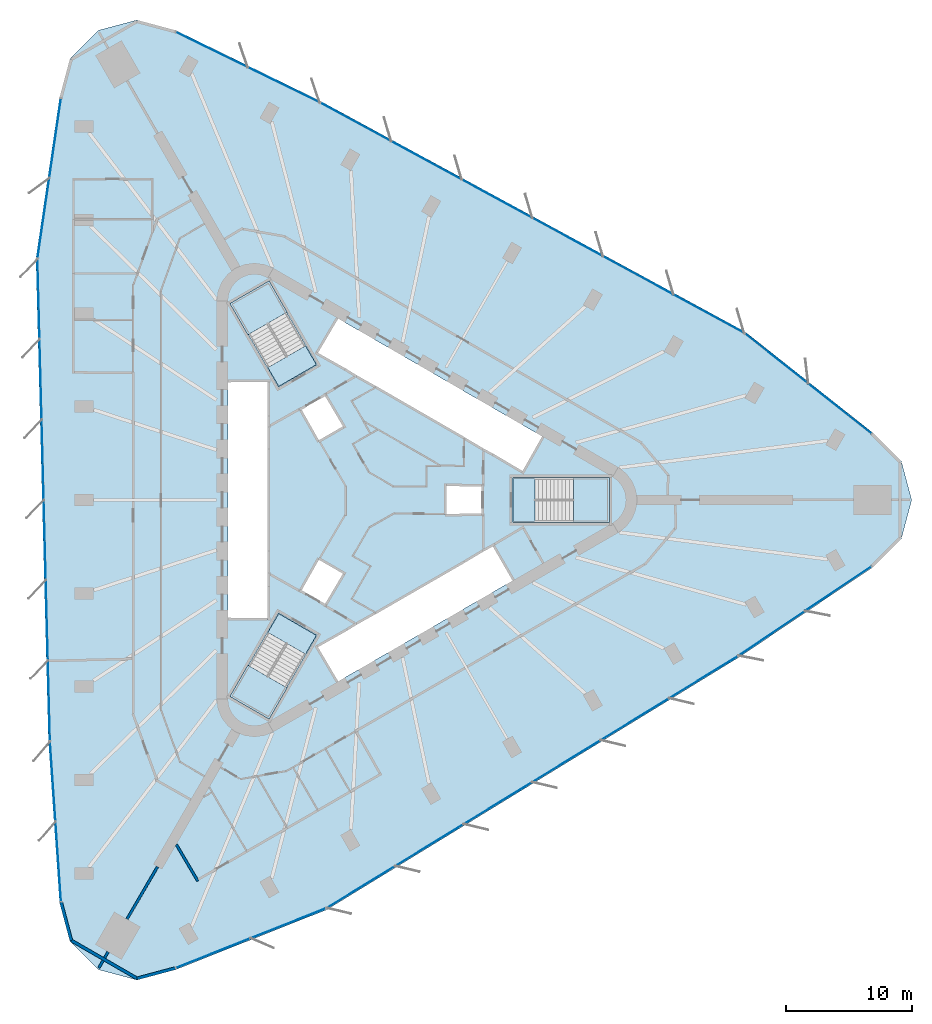
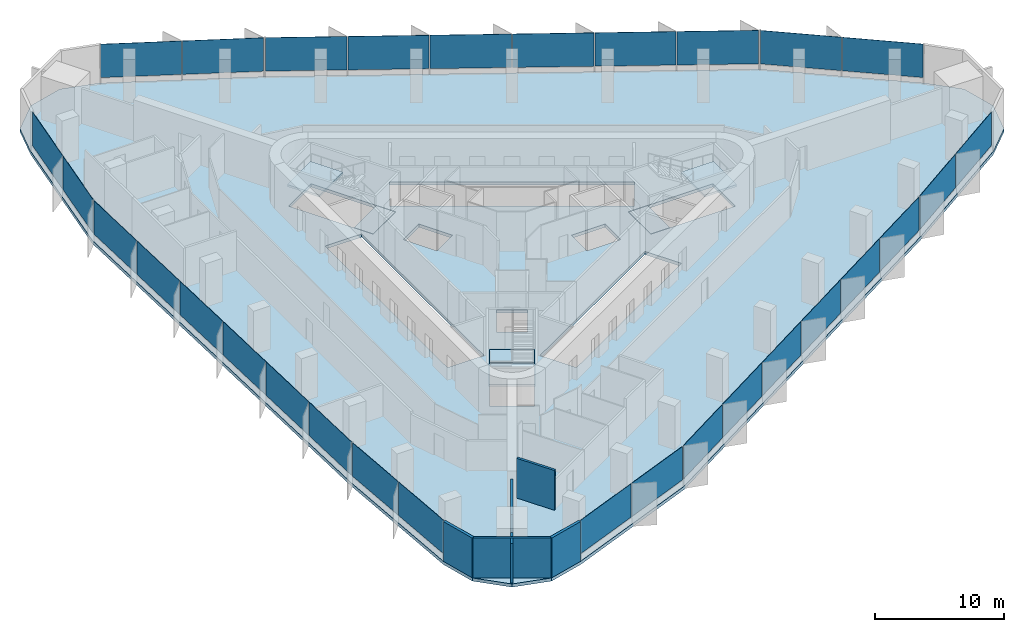
# One storey, part 7 of 14: 30 plates, 7 slabs, 7 walls, 12 elements without a shape of their own.
"""IFC4 building model written with IfcOpenShell, lengths in metres."""

from ifc_helpers import new_model, si_unit, direction, frame, frame_2d, origin, origin_2d, place, context, subcontext, project, spatial, polyline, rectangle, outline, extrude, material, layer, layer_set, type_object, element, aggregate, save


model = new_model("IFC4")

# Units and contexts
model_context = context("Model", 3, precision=1e-05, world=origin(), true_north=direction((0.0, 1.0)))
body_context = subcontext(model_context, "Body", "Model", "MODEL_VIEW")
ifc_project = project(units=[si_unit("LENGTHUNIT", "METRE"), si_unit("AREAUNIT", "SQUARE_METRE"), si_unit("VOLUMEUNIT", "CUBIC_METRE"), si_unit("PLANEANGLEUNIT", "RADIAN"), si_unit("MASSUNIT", "GRAM", prefix="KILO")], contexts=[model_context])

# Site, building, storey
site_placement = place(None, origin())
site = spatial("IfcSite", under=ifc_project, at=site_placement, CompositionType="ELEMENT")
building_placement = place(site_placement, origin())
building = spatial("IfcBuilding", under=site, at=building_placement, Name="Tanit Gate Tower", CompositionType="ELEMENT")
storey_placement = place(building_placement, frame((0.0, 0.0, 152.10009765625)))
storey = spatial("IfcBuildingStorey", under=building, at=storey_placement, Name="L33", CompositionType="ELEMENT", Elevation=152.10009765625)

# Slab
ifc_material_1 = material(Name="Concrete C35/45", Category="concrete")
ifc_layer_1 = layer(ifc_material_1, 0.300048828125)
ifc_layer_set_1 = layer_set([ifc_layer_1], Name="FLOOR SLAB 300 C35/45")
slab_type_1 = type_object("IfcSlabType", Name="FLOOR SLAB 300 C35/45", PredefinedType="FLOOR", material=ifc_layer_set_1)
slab_1_placement = place(storey_placement, frame((0.0, 0.0, -0.300048828125)))
element("IfcSlab", 1, at=slab_1_placement, inside=storey, type_object=slab_type_1, Name="FLOOR SLAB L33", PredefinedType="FLOOR", context=body_context, shape_type="SweptSolid", body=[
    extrude(outline(polyline([(39.86279296875, 5.312744140625), (42.1083984375, 3.0673828125), (42.93017578125, 0.0), (42.1083984375, -3.0673828125), (39.86279296875, -5.312744140625), (29.263916015625, -12.447509765625), (-3.356201171875, -32.425537109375), (-15.330322265625, -37.1787109375), (-18.397705078125, -38.00048828125), (-21.465087890625, -37.1787109375), (-23.71044921875, -34.93310546875), (-24.532470703125, -31.86572265625), (-25.41162109375, -19.119384765625), (-26.4033203125, 19.119384765625), (-24.532470703125, 31.86572265625), (-23.71044921875, 34.93310546875), (-21.465087890625, 37.1787109375), (-18.397705078125, 38.00048828125), (-15.330322265625, 37.1787109375), (-3.85205078125, 31.56689453125), (29.759521484375, 13.30615234375), (39.86279296875, 5.312744140625)]), holes=[polyline([(11.3701171875, 1.72998046875), (18.929931640625, 1.72998046875), (18.929931640625, -1.72998046875), (11.3701171875, -1.72998046875), (11.3701171875, 1.72998046875)]), polyline([(-4.208984375, 11.60986328125), (-2.583984375, 14.424560546875), (13.783935546875, 4.974609375), (12.158935546875, 2.159912109375), (-4.208984375, 11.60986328125)]), polyline([(-4.208984375, -11.60986328125), (9.82080078125, -3.510009765625), (11.44580078125, -6.324462890625), (-2.583984375, -14.424560546875), (-4.208984375, -11.60986328125)]), polyline([(9.0, 1.199951171875), (9.0, -1.199951171875), (6.0, -1.199951171875), (6.0, 1.199951171875), (9.0, 1.199951171875)]), polyline([(-5.539306640625, 7.194091796875), (-3.460693359375, 8.394287109375), (-1.960693359375, 5.796142578125), (-4.039306640625, 4.59619140625), (-5.539306640625, 7.194091796875)]), polyline([(-1.960693359375, -5.796142578125), (-3.460693359375, -8.394287109375), (-5.539306640625, -7.194091796875), (-4.039306640625, -4.59619140625), (-1.960693359375, -5.796142578125)]), polyline([(-10.963134765625, 15.52880859375), (-7.966796875, 17.2587890625), (-4.186767578125, 10.711669921875), (-7.18310546875, 8.981689453125), (-10.963134765625, 15.52880859375)]), polyline([(-4.186767578125, -10.711669921875), (-7.966796875, -17.2587890625), (-10.963134765625, -15.52880859375), (-7.18310546875, -8.981689453125), (-4.186767578125, -10.711669921875)]), polyline([(-11.199951171875, -9.449951171875), (-11.199951171875, 9.449951171875), (-7.949951171875, 9.449951171875), (-7.949951171875, -9.449951171875), (-11.199951171875, -9.449951171875)])]), origin(), (0.0, 0.0, 1.0), 0.300048828125),
])

# Curtain wall, plates
ifc_material_2 = material(Name="Aluminium bronze anodised and glass", Category="aluminium")
curtain_wall_type = type_object("IfcCurtainWallType", Name="Curtain wall typical low", PredefinedType="NOTDEFINED", material=ifc_material_2)
curtain_wall_1_placement = place(storey_placement, origin())
curtain_wall_1 = element("IfcCurtainWall", 2, at=curtain_wall_1_placement, inside=storey, type_object=curtain_wall_type, Name="Curtain wall L33 NE1", PredefinedType="NOTDEFINED")
ifc_material_3 = material(Name="Glass tinted", Category="glass")
ifc_layer_2 = layer(ifc_material_3, 0.031982421875)
ifc_layer_set_2 = layer_set([ifc_layer_2], Name="Glass panel 32 typical low")
plate_type = type_object("IfcPlateType", Name="Glass panel 32 typical low", PredefinedType="CURTAIN_PANEL", material=ifc_layer_set_2)
plate_1_placement = place(storey_placement, frame((37.244873046875, 7.231201171875, 0.599853515625), z_axis=(0.0, 0.0, 1.0), x_axis=(-0.784236570072, 0.620461926441, 0.0)))
plate_1 = element("IfcPlate", 3, at=plate_1_placement, type_object=plate_type, Name="Glass panel L33 NE1.1", PredefinedType="CURTAIN_PANEL", context=body_context, shape_type="SweptSolid", body=[
    extrude(rectangle(XDim=6.312744140625, YDim=0.031982421875, at=origin_2d()), origin(), (0.0, 0.0, 1.0), 3.14990234375),
])
plate_2_placement = place(storey_placement, frame((32.231201171875, 11.197509765625, 0.599853515625), z_axis=(0.0, 0.0, 1.0), x_axis=(-0.784236570072, 0.620461926441, 0.0)))
plate_2 = element("IfcPlate", 4, at=plate_2_placement, type_object=plate_type, Name="Glass panel L33 NE1.2", PredefinedType="CURTAIN_PANEL", context=body_context, shape_type="SweptSolid", body=[
    extrude(rectangle(XDim=6.312744140625, YDim=0.031982421875, at=origin_2d()), origin(), (0.0, 0.0, 1.0), 3.14990234375),
])
aggregate(curtain_wall_1, [plate_1, plate_2])

curtain_wall_2_placement = place(storey_placement, origin())
curtain_wall_2 = element("IfcCurtainWall", 5, at=curtain_wall_2_placement, inside=storey, type_object=curtain_wall_type, Name="Curtain wall L33 NE2", PredefinedType="NOTDEFINED")
plate_3_placement = place(storey_placement, frame((26.864013671875, 14.74267578125, 0.599853515625), z_axis=(0.0, 0.0, 1.0), x_axis=(-0.87869633876, 0.477381131015, 0.0)))
plate_3 = element("IfcPlate", 6, at=plate_3_placement, type_object=plate_type, Name="Glass panel L33 NE2.1", PredefinedType="CURTAIN_PANEL", context=body_context, shape_type="SweptSolid", body=[
    extrude(rectangle(XDim=6.27978515625, YDim=0.031982421875, at=origin_2d()), origin(), (0.0, 0.0, 1.0), 3.14990234375),
])
plate_4_placement = place(storey_placement, frame((21.275634765625, 17.77880859375, 0.599853515625), z_axis=(0.0, 0.0, 1.0), x_axis=(-0.87869633876, 0.477381131015, 0.0)))
plate_4 = element("IfcPlate", 7, at=plate_4_placement, type_object=plate_type, Name="Glass panel L33 NE2.2", PredefinedType="CURTAIN_PANEL", context=body_context, shape_type="SweptSolid", body=[
    extrude(rectangle(XDim=6.27978515625, YDim=0.031982421875, at=origin_2d()), origin(), (0.0, 0.0, 1.0), 3.14990234375),
])
plate_5_placement = place(storey_placement, frame((15.687255859375, 20.81494140625, 0.599853515625), z_axis=(0.0, 0.0, 1.0), x_axis=(-0.87869633876, 0.477381131015, 0.0)))
plate_5 = element("IfcPlate", 8, at=plate_5_placement, type_object=plate_type, Name="Glass panel L33 NE2.3", PredefinedType="CURTAIN_PANEL", context=body_context, shape_type="SweptSolid", body=[
    extrude(rectangle(XDim=6.27978515625, YDim=0.031982421875, at=origin_2d()), origin(), (0.0, 0.0, 1.0), 3.14990234375),
])
plate_6_placement = place(storey_placement, frame((10.098876953125, 23.850830078125, 0.599853515625), z_axis=(0.0, 0.0, 1.0), x_axis=(-0.87869633876, 0.477381131015, 0.0)))
plate_6 = element("IfcPlate", 9, at=plate_6_placement, type_object=plate_type, Name="Glass panel L33 NE2.4", PredefinedType="CURTAIN_PANEL", context=body_context, shape_type="SweptSolid", body=[
    extrude(rectangle(XDim=6.27978515625, YDim=0.031982421875, at=origin_2d()), origin(), (0.0, 0.0, 1.0), 3.14990234375),
])
plate_7_placement = place(storey_placement, frame((4.510498046875, 26.886962890625, 0.599853515625), z_axis=(0.0, 0.0, 1.0), x_axis=(-0.87869633876, 0.477381131015, 0.0)))
plate_7 = element("IfcPlate", 10, at=plate_7_placement, type_object=plate_type, Name="Glass panel L33 NE2.5", PredefinedType="CURTAIN_PANEL", context=body_context, shape_type="SweptSolid", body=[
    extrude(rectangle(XDim=6.27978515625, YDim=0.031982421875, at=origin_2d()), origin(), (0.0, 0.0, 1.0), 3.14990234375),
])
plate_8_placement = place(storey_placement, frame((-1.077880859375, 29.923095703125, 0.599853515625), z_axis=(0.0, 0.0, 1.0), x_axis=(-0.87869633876, 0.477381131015, 0.0)))
plate_8 = element("IfcPlate", 11, at=plate_8_placement, type_object=plate_type, Name="Glass panel L33 NE2.6", PredefinedType="CURTAIN_PANEL", context=body_context, shape_type="SweptSolid", body=[
    extrude(rectangle(XDim=6.27978515625, YDim=0.031982421875, at=origin_2d()), origin(), (0.0, 0.0, 1.0), 3.14990234375),
])
aggregate(curtain_wall_2, [plate_3, plate_4, plate_5, plate_6, plate_7, plate_8])

curtain_wall_3_placement = place(storey_placement, origin())
curtain_wall_3 = element("IfcCurtainWall", 12, at=curtain_wall_3_placement, inside=storey, type_object=curtain_wall_type, Name="Curtain wall L33 NE3", PredefinedType="NOTDEFINED")
plate_9_placement = place(storey_placement, frame((-6.79150390625, 32.870361328125, 0.599853515625), z_axis=(0.0, 0.0, 1.0), x_axis=(-0.898378505886, 0.439222108006, 0.0)))
plate_9 = element("IfcPlate", 13, at=plate_9_placement, type_object=plate_type, Name="Glass panel L33 NE3.1", PredefinedType="CURTAIN_PANEL", context=body_context, shape_type="SweptSolid", body=[
    extrude(rectangle(XDim=6.26123046875, YDim=0.031982421875, at=origin_2d()), origin(), (0.0, 0.0, 1.0), 3.14990234375),
])
plate_10_placement = place(storey_placement, frame((-12.48828125, 35.655517578125, 0.599853515625), z_axis=(0.0, 0.0, 1.0), x_axis=(-0.898378505886, 0.439222108006, 0.0)))
plate_10 = element("IfcPlate", 14, at=plate_10_placement, type_object=plate_type, Name="Glass panel L33 NE3.2", PredefinedType="CURTAIN_PANEL", context=body_context, shape_type="SweptSolid", body=[
    extrude(rectangle(XDim=6.26123046875, YDim=0.031982421875, at=origin_2d()), origin(), (0.0, 0.0, 1.0), 3.14990234375),
])
aggregate(curtain_wall_3, [plate_9, plate_10])

curtain_wall_4_placement = place(storey_placement, origin())
curtain_wall_4 = element("IfcCurtainWall", 15, at=curtain_wall_4_placement, inside=storey, type_object=curtain_wall_type, Name="Curtain wall L33 W1", PredefinedType="NOTDEFINED")
plate_11_placement = place(storey_placement, frame((-24.884765625, 28.639404296875, 0.599853515625), z_axis=(0.0, 0.0, 1.0), x_axis=(-0.145217505343, -0.989399755479, 0.0)))
plate_11 = element("IfcPlate", 16, at=plate_11_placement, type_object=plate_type, Name="Glass panel L33 W1.1", PredefinedType="CURTAIN_PANEL", context=body_context, shape_type="SweptSolid", body=[
    extrude(rectangle(XDim=6.312744140625, YDim=0.031982421875, at=origin_2d()), origin(), (0.0, 0.0, 1.0), 3.14990234375),
])
plate_12_placement = place(storey_placement, frame((-25.81298828125, 22.314453125, 0.599853515625), z_axis=(0.0, 0.0, 1.0), x_axis=(-0.145217505343, -0.989399755479, 0.0)))
plate_12 = element("IfcPlate", 17, at=plate_12_placement, type_object=plate_type, Name="Glass panel L33 W1.2", PredefinedType="CURTAIN_PANEL", context=body_context, shape_type="SweptSolid", body=[
    extrude(rectangle(XDim=6.312744140625, YDim=0.031982421875, at=origin_2d()), origin(), (0.0, 0.0, 1.0), 3.14990234375),
])
aggregate(curtain_wall_4, [plate_11, plate_12])

curtain_wall_5_placement = place(storey_placement, origin())
curtain_wall_5 = element("IfcCurtainWall", 18, at=curtain_wall_5_placement, inside=storey, type_object=curtain_wall_type, Name="Curtain wall L33 W2", PredefinedType="NOTDEFINED")
plate_13_placement = place(storey_placement, frame((-26.199462890625, 15.8935546875, 0.599853515625), z_axis=(0.0, 0.0, 1.0), x_axis=(0.025923982634, -0.999663917086, 0.0)))
plate_13 = element("IfcPlate", 19, at=plate_13_placement, type_object=plate_type, Name="Glass panel L33 W2.1", PredefinedType="CURTAIN_PANEL", context=body_context, shape_type="SweptSolid", body=[
    extrude(rectangle(XDim=6.27978515625, YDim=0.031982421875, at=origin_2d()), origin(), (0.0, 0.0, 1.0), 3.14990234375),
])
plate_14_placement = place(storey_placement, frame((-26.03466796875, 9.535888671875, 0.599853515625), z_axis=(0.0, 0.0, 1.0), x_axis=(0.025923982634, -0.999663917086, 0.0)))
plate_14 = element("IfcPlate", 20, at=plate_14_placement, type_object=plate_type, Name="Glass panel L33 W2.2", PredefinedType="CURTAIN_PANEL", context=body_context, shape_type="SweptSolid", body=[
    extrude(rectangle(XDim=6.27978515625, YDim=0.031982421875, at=origin_2d()), origin(), (0.0, 0.0, 1.0), 3.14990234375),
])
plate_15_placement = place(storey_placement, frame((-25.869873046875, 3.177978515625, 0.599853515625), z_axis=(0.0, 0.0, 1.0), x_axis=(0.025923982634, -0.999663917086, 0.0)))
plate_15 = element("IfcPlate", 21, at=plate_15_placement, type_object=plate_type, Name="Glass panel L33 W2.3", PredefinedType="CURTAIN_PANEL", context=body_context, shape_type="SweptSolid", body=[
    extrude(rectangle(XDim=6.27978515625, YDim=0.031982421875, at=origin_2d()), origin(), (0.0, 0.0, 1.0), 3.14990234375),
])
plate_16_placement = place(storey_placement, frame((-25.704833984375, -3.1796875, 0.599853515625), z_axis=(0.0, 0.0, 1.0), x_axis=(0.025923982634, -0.999663917086, 0.0)))
plate_16 = element("IfcPlate", 22, at=plate_16_placement, type_object=plate_type, Name="Glass panel L33 W2.4", PredefinedType="CURTAIN_PANEL", context=body_context, shape_type="SweptSolid", body=[
    extrude(rectangle(XDim=6.27978515625, YDim=0.031982421875, at=origin_2d()), origin(), (0.0, 0.0, 1.0), 3.14990234375),
])
plate_17_placement = place(storey_placement, frame((-25.5400390625, -9.537353515625, 0.599853515625), z_axis=(0.0, 0.0, 1.0), x_axis=(0.025923982634, -0.999663917086, 0.0)))
plate_17 = element("IfcPlate", 23, at=plate_17_placement, type_object=plate_type, Name="Glass panel L33 W2.5", PredefinedType="CURTAIN_PANEL", context=body_context, shape_type="SweptSolid", body=[
    extrude(rectangle(XDim=6.27978515625, YDim=0.031982421875, at=origin_2d()), origin(), (0.0, 0.0, 1.0), 3.14990234375),
])
plate_18_placement = place(storey_placement, frame((-25.375244140625, -15.89501953125, 0.599853515625), z_axis=(0.0, 0.0, 1.0), x_axis=(0.025923982634, -0.999663917086, 0.0)))
plate_18 = element("IfcPlate", 24, at=plate_18_placement, type_object=plate_type, Name="Glass panel L33 W2.6", PredefinedType="CURTAIN_PANEL", context=body_context, shape_type="SweptSolid", body=[
    extrude(rectangle(XDim=6.27978515625, YDim=0.031982421875, at=origin_2d()), origin(), (0.0, 0.0, 1.0), 3.14990234375),
])
aggregate(curtain_wall_5, [plate_13, plate_14, plate_15, plate_16, plate_17, plate_18])

curtain_wall_6_placement = place(storey_placement, origin())
curtain_wall_6 = element("IfcCurtainWall", 25, at=curtain_wall_6_placement, inside=storey, type_object=curtain_wall_type, Name="Curtain wall L33 W3", PredefinedType="NOTDEFINED")
plate_19_placement = place(storey_placement, frame((-25.07080078125, -22.31689453125, 0.599853515625), z_axis=(0.0, 0.0, 1.0), x_axis=(0.068811749506, -0.997629662315, 0.0)))
plate_19 = element("IfcPlate", 26, at=plate_19_placement, type_object=plate_type, Name="Glass panel L33 W3.1", PredefinedType="CURTAIN_PANEL", context=body_context, shape_type="SweptSolid", body=[
    extrude(rectangle(XDim=6.26123046875, YDim=0.031982421875, at=origin_2d()), origin(), (0.0, 0.0, 1.0), 3.14990234375),
])
plate_20_placement = place(storey_placement, frame((-24.634521484375, -28.64306640625, 0.599853515625), z_axis=(0.0, 0.0, 1.0), x_axis=(0.068811749506, -0.997629662315, 0.0)))
plate_20 = element("IfcPlate", 27, at=plate_20_placement, type_object=plate_type, Name="Glass panel L33 W3.2", PredefinedType="CURTAIN_PANEL", context=body_context, shape_type="SweptSolid", body=[
    extrude(rectangle(XDim=6.26123046875, YDim=0.031982421875, at=origin_2d()), origin(), (0.0, 0.0, 1.0), 3.14990234375),
])
aggregate(curtain_wall_6, [plate_19, plate_20])

curtain_wall_7_placement = place(storey_placement, origin())
curtain_wall_7 = element("IfcCurtainWall", 28, at=curtain_wall_7_placement, inside=storey, type_object=curtain_wall_type, Name="Curtain wall L33 SE1", PredefinedType="NOTDEFINED")
plate_21_placement = place(storey_placement, frame((-12.360107421875, -35.870361328125, 0.599853515625), z_axis=(0.0, 0.0, 1.0), x_axis=(0.929454075414, 0.368937829038, 0.0)))
plate_21 = element("IfcPlate", 29, at=plate_21_placement, type_object=plate_type, Name="Glass panel L33 SE1.1", PredefinedType="CURTAIN_PANEL", context=body_context, shape_type="SweptSolid", body=[
    extrude(rectangle(XDim=6.312744140625, YDim=0.031982421875, at=origin_2d()), origin(), (0.0, 0.0, 1.0), 3.14990234375),
])
plate_22_placement = place(storey_placement, frame((-6.418212890625, -33.511962890625, 0.599853515625), z_axis=(0.0, 0.0, 1.0), x_axis=(0.929454075414, 0.368937829038, 0.0)))
plate_22 = element("IfcPlate", 30, at=plate_22_placement, type_object=plate_type, Name="Glass panel L33 SE1.2", PredefinedType="CURTAIN_PANEL", context=body_context, shape_type="SweptSolid", body=[
    extrude(rectangle(XDim=6.312744140625, YDim=0.031982421875, at=origin_2d()), origin(), (0.0, 0.0, 1.0), 3.14990234375),
])
aggregate(curtain_wall_7, [plate_21, plate_22])

curtain_wall_8_placement = place(storey_placement, origin())
curtain_wall_8 = element("IfcCurtainWall", 31, at=curtain_wall_8_placement, inside=storey, type_object=curtain_wall_type, Name="Curtain wall L33 SE2", PredefinedType="NOTDEFINED")
plate_23_placement = place(storey_placement, frame((-0.664306640625, -30.63623046875, 0.599853515625), z_axis=(0.0, 0.0, 1.0), x_axis=(0.852772356127, 0.522282786071, 0.0)))
plate_23 = element("IfcPlate", 32, at=plate_23_placement, type_object=plate_type, Name="Glass panel L33 SE2.1", PredefinedType="CURTAIN_PANEL", context=body_context, shape_type="SweptSolid", body=[
    extrude(rectangle(XDim=6.27978515625, YDim=0.031982421875, at=origin_2d()), origin(), (0.0, 0.0, 1.0), 3.14990234375),
])
plate_24_placement = place(storey_placement, frame((4.759033203125, -27.314697265625, 0.599853515625), z_axis=(0.0, 0.0, 1.0), x_axis=(0.852772356127, 0.522282786071, 0.0)))
plate_24 = element("IfcPlate", 33, at=plate_24_placement, type_object=plate_type, Name="Glass panel L33 SE2.2", PredefinedType="CURTAIN_PANEL", context=body_context, shape_type="SweptSolid", body=[
    extrude(rectangle(XDim=6.27978515625, YDim=0.031982421875, at=origin_2d()), origin(), (0.0, 0.0, 1.0), 3.14990234375),
])
plate_25_placement = place(storey_placement, frame((10.1826171875, -23.992919921875, 0.599853515625), z_axis=(0.0, 0.0, 1.0), x_axis=(0.852772356127, 0.522282786071, 0.0)))
plate_25 = element("IfcPlate", 34, at=plate_25_placement, type_object=plate_type, Name="Glass panel L33 SE2.3", PredefinedType="CURTAIN_PANEL", context=body_context, shape_type="SweptSolid", body=[
    extrude(rectangle(XDim=6.27978515625, YDim=0.031982421875, at=origin_2d()), origin(), (0.0, 0.0, 1.0), 3.14990234375),
])
plate_26_placement = place(storey_placement, frame((15.606201171875, -20.67138671875, 0.599853515625), z_axis=(0.0, 0.0, 1.0), x_axis=(0.852772356127, 0.522282786071, 0.0)))
plate_26 = element("IfcPlate", 35, at=plate_26_placement, type_object=plate_type, Name="Glass panel L33 SE2.4", PredefinedType="CURTAIN_PANEL", context=body_context, shape_type="SweptSolid", body=[
    extrude(rectangle(XDim=6.27978515625, YDim=0.031982421875, at=origin_2d()), origin(), (0.0, 0.0, 1.0), 3.14990234375),
])
plate_27_placement = place(storey_placement, frame((21.029541015625, -17.349609375, 0.599853515625), z_axis=(0.0, 0.0, 1.0), x_axis=(0.852772356127, 0.522282786071, 0.0)))
plate_27 = element("IfcPlate", 36, at=plate_27_placement, type_object=plate_type, Name="Glass panel L33 SE2.5", PredefinedType="CURTAIN_PANEL", context=body_context, shape_type="SweptSolid", body=[
    extrude(rectangle(XDim=6.27978515625, YDim=0.031982421875, at=origin_2d()), origin(), (0.0, 0.0, 1.0), 3.14990234375),
])
plate_28_placement = place(storey_placement, frame((26.453125, -14.028076171875, 0.599853515625), z_axis=(0.0, 0.0, 1.0), x_axis=(0.852772356127, 0.522282786071, 0.0)))
plate_28 = element("IfcPlate", 37, at=plate_28_placement, type_object=plate_type, Name="Glass panel L33 SE2.6", PredefinedType="CURTAIN_PANEL", context=body_context, shape_type="SweptSolid", body=[
    extrude(rectangle(XDim=6.27978515625, YDim=0.031982421875, at=origin_2d()), origin(), (0.0, 0.0, 1.0), 3.14990234375),
])
aggregate(curtain_wall_8, [plate_23, plate_24, plate_25, plate_26, plate_27, plate_28])

curtain_wall_9_placement = place(storey_placement, origin())
curtain_wall_9 = element("IfcCurtainWall", 38, at=curtain_wall_9_placement, inside=storey, type_object=curtain_wall_type, Name="Curtain wall L33 SE3", PredefinedType="NOTDEFINED")
plate_29_placement = place(storey_placement, frame((31.8623046875, -10.553466796875, 0.599853515625), z_axis=(0.0, 0.0, 1.0), x_axis=(0.82956675638, 0.558407554309, 0.0)))
plate_29 = element("IfcPlate", 39, at=plate_29_placement, type_object=plate_type, Name="Glass panel L33 SE3.1", PredefinedType="CURTAIN_PANEL", context=body_context, shape_type="SweptSolid", body=[
    extrude(rectangle(XDim=6.26123046875, YDim=0.031982421875, at=origin_2d()), origin(), (0.0, 0.0, 1.0), 3.14990234375),
])
plate_30_placement = place(storey_placement, frame((37.122802734375, -7.0126953125, 0.599853515625), z_axis=(0.0, 0.0, 1.0), x_axis=(0.82956675638, 0.558407554309, 0.0)))
plate_30 = element("IfcPlate", 40, at=plate_30_placement, type_object=plate_type, Name="Glass panel L33 SE3.2", PredefinedType="CURTAIN_PANEL", context=body_context, shape_type="SweptSolid", body=[
    extrude(rectangle(XDim=6.26123046875, YDim=0.031982421875, at=origin_2d()), origin(), (0.0, 0.0, 1.0), 3.14990234375),
])
aggregate(curtain_wall_9, [plate_29, plate_30])

# Stair, slab
ifc_material_4 = material(Name="Concrete C40/50", Category="concrete")
stair_type = type_object("IfcStairType", Name="INT-STAIR-EXIT", PredefinedType="HALF_TURN_STAIR", material=ifc_material_4)
stair_1_placement = place(storey_placement, origin())
stair_1 = element("IfcStair", 41, at=stair_1_placement, inside=storey, type_object=stair_type, Name="L33 STAIR S1", PredefinedType="HALF_TURN_STAIR")
ifc_material_5 = material(Name="Concrete C40/50", Category="concrete")
ifc_layer_3 = layer(ifc_material_5, 0.199951171875)
ifc_layer_set_3 = layer_set([ifc_layer_3], Name="INT-STAIR-LANDING")
slab_type_2 = type_object("IfcSlabType", Name="INT-STAIR-LANDING", PredefinedType="LANDING", material=ifc_layer_set_3)
slab_2_placement = place(storey_placement, frame((0.0, 0.0, 1.849853515625)))
slab_2 = element("IfcSlab", 42, at=slab_2_placement, type_object=slab_type_2, Name="S1 landing 1", PredefinedType="LANDING", context=body_context, shape_type="SweptSolid", body=[
    extrude(outline(polyline([(16.135986328125, -1.800048828125), (19.0, -1.800048828125), (19.0, 1.800048828125), (16.135986328125, 1.800048828125), (16.135986328125, -1.800048828125)])), origin(), (0.0, 0.0, 1.0), 0.199951171875),
])
aggregate(stair_1, [slab_2])

# Slab
slab_3_placement = place(storey_placement, frame((0.0, 0.0, -0.2001953125)))
element("IfcSlab", 43, at=slab_3_placement, inside=storey, type_object=slab_type_2, Name="S1 floor landing", PredefinedType="LANDING", context=body_context, shape_type="SweptSolid", body=[
    extrude(outline(polyline([(11.3798828125, -1.719970703125), (13.10498046875, -1.719970703125), (13.10498046875, 1.719970703125), (11.3798828125, 1.719970703125), (11.3798828125, -1.719970703125)])), origin(), (0.0, 0.0, 1.0), 0.2001953125),
])

# Stair, slab
stair_2_placement = place(storey_placement, origin())
stair_2 = element("IfcStair", 44, at=stair_2_placement, inside=storey, type_object=stair_type, Name="L33 STAIR S2", PredefinedType="HALF_TURN_STAIR")
slab_4_placement = place(storey_placement, frame((0.0, 0.0, 1.849853515625)))
slab_4 = element("IfcSlab", 45, at=slab_4_placement, type_object=slab_type_2, Name="S2 landing 1", PredefinedType="LANDING", context=body_context, shape_type="SweptSolid", body=[
    extrude(outline(polyline([(-6.5078125, 14.871826171875), (-7.941162109375, 17.3544921875), (-11.058837890625, 15.554443359375), (-9.62548828125, 13.07177734375), (-6.5078125, 14.871826171875)])), origin(), (0.0, 0.0, 1.0), 0.199951171875),
])
aggregate(stair_2, [slab_4])

# Slab
slab_5_placement = place(storey_placement, frame((0.0, 0.0, -0.2001953125)))
element("IfcSlab", 46, at=slab_5_placement, inside=storey, type_object=slab_type_2, Name="S2 floor landing", PredefinedType="LANDING", context=body_context, shape_type="SweptSolid", body=[
    extrude(outline(polyline([(-4.200439453125, 10.71533203125), (-5.0625, 12.20849609375), (-8.04150390625, 10.48828125), (-7.179443359375, 8.995361328125), (-4.200439453125, 10.71533203125)])), origin(), (0.0, 0.0, 1.0), 0.2001953125),
])

# Stair, slab
stair_3_placement = place(storey_placement, origin())
stair_3 = element("IfcStair", 47, at=stair_3_placement, inside=storey, type_object=stair_type, Name="L33 STAIR S3", PredefinedType="HALF_TURN_STAIR")
slab_6_placement = place(storey_placement, frame((0.0, 0.0, 1.849853515625)))
slab_6 = element("IfcSlab", 48, at=slab_6_placement, type_object=slab_type_2, Name="S3 landing 1", PredefinedType="LANDING", context=body_context, shape_type="SweptSolid", body=[
    extrude(outline(polyline([(-9.626953125, -13.07421875), (-11.058837890625, -15.554443359375), (-7.941162109375, -17.3544921875), (-6.509033203125, -14.874267578125), (-9.626953125, -13.07421875)])), origin(), (0.0, 0.0, 1.0), 0.199951171875),
])
aggregate(stair_3, [slab_6])

# Slab
slab_7_placement = place(storey_placement, frame((0.0, 0.0, -0.2001953125)))
element("IfcSlab", 49, at=slab_7_placement, inside=storey, type_object=slab_type_2, Name="S3 floor landing", PredefinedType="LANDING", context=body_context, shape_type="SweptSolid", body=[
    extrude(outline(polyline([(-7.179443359375, -8.995361328125), (-8.0419921875, -10.4892578125), (-5.06298828125, -12.209228515625), (-4.200439453125, -10.71533203125), (-7.179443359375, -8.995361328125)])), origin(), (0.0, 0.0, 1.0), 0.2001953125),
])

# Walls
ifc_material_6 = material(Name="Concrete C30/37 with bronze anodised aluminium cladding", Category="concrete")
ifc_layer_4 = layer(ifc_material_6, 0.239990234375)
ifc_layer_set_4 = layer_set([ifc_layer_4], Name="Facade wall bronze clad 240")
wall_type_1 = type_object("IfcWallType", Name="Facade wall bronze clad 240", PredefinedType="SOLIDWALL", material=ifc_layer_set_4)
wall_1_placement = place(storey_placement, frame((-24.41357421875, -31.845947265625, 0.0), z_axis=(0.0, 0.0, 1.0), x_axis=(0.258807521156, -0.965928914048, 0.0)))
element("IfcWall", 50, at=wall_1_placement, inside=storey, type_object=wall_type_1, Name="Bronze-clad facade wall L33 SW.arc1", PredefinedType="SOLIDWALL", context=body_context, shape_type="SweptSolid", body=[
    extrude(rectangle(XDim=3.1318359375, YDim=0.239990234375, at=frame_2d((1.56591796875, 0.0))), origin(), (0.0, 0.0, 1.0), 3.75),
])
wall_2_placement = place(storey_placement, frame((-23.60302734375, -34.87109375, 0.0), z_axis=(0.0, 0.0, 1.0), x_axis=(0.866037453254, -0.499979129126, 0.0)))
element("IfcWall", 51, at=wall_2_placement, inside=storey, type_object=wall_type_1, Name="Bronze-clad facade wall L33 SW.arc2", PredefinedType="SOLIDWALL", context=body_context, shape_type="SweptSolid", body=[
    extrude(rectangle(XDim=6.010498046875, YDim=0.239990234375, at=frame_2d((3.00537109375, 0.0))), origin(), (0.0, 0.0, 1.0), 3.75),
])
wall_3_placement = place(storey_placement, frame((-18.397705078125, -37.876220703125, 0.0), z_axis=(0.0, 0.0, 1.0), x_axis=(0.965925466837, 0.258820386593, 0.0)))
element("IfcWall", 52, at=wall_3_placement, inside=storey, type_object=wall_type_1, Name="Bronze-clad facade wall L33 SW.arc3", PredefinedType="SOLIDWALL", context=body_context, shape_type="SweptSolid", body=[
    extrude(rectangle(XDim=3.136474609375, YDim=0.239990234375, at=frame_2d((1.568359375, 0.0))), origin(), (0.0, 0.0, 1.0), 3.75),
])
ifc_material_7 = material(Name="Fire-rated gypsum board partition")
ifc_layer_5 = layer(ifc_material_7, 0.199951171875)
ifc_layer_set_5 = layer_set([ifc_layer_5], Name="INT-WALL-COMPARTMENT")
wall_type_2 = type_object("IfcWallType", Name="INT-WALL-COMPARTMENT", PredefinedType="PARTITIONING", material=ifc_layer_set_5)
wall_4_placement = place(storey_placement, frame((-20.691162109375, -35.778076171875, 0.0), z_axis=(0.0, 0.0, 1.0), x_axis=(-0.500004084281, -0.866023045711, 0.0)))
element("IfcWall", 53, at=wall_4_placement, inside=storey, type_object=wall_type_2, Name="Wall Compartment W116", PredefinedType="PARTITIONING", context=body_context, shape_type="SweptSolid", body=[
    extrude(rectangle(XDim=0.55029296875, YDim=0.199951171875, at=frame_2d((0.275146484375, 0.0))), origin(), (0.0, 0.0, 1.0), 3.75),
])
wall_5_placement = place(storey_placement, frame((-21.08642578125, -36.462646484375, 0.0), z_axis=(0.0, 0.0, 1.0), x_axis=(-0.499784885981, -0.866149564305, 0.0)))
element("IfcWall", 54, at=wall_5_placement, inside=storey, type_object=wall_type_2, Name="Wall Compartment W116x1", PredefinedType="PARTITIONING", context=body_context, shape_type="SweptSolid", body=[
    extrude(rectangle(XDim=0.677001953125, YDim=0.199951171875, at=frame_2d((0.33837890625, 0.0))), origin(), (0.0, 0.0, 1.0), 3.75),
])
wall_6_placement = place(storey_placement, frame((-16.77587890625, -29.035888671875, 0.0), z_axis=(0.0, 0.0, 1.0), x_axis=(-0.503548187655, -0.863967142147, 0.0)))
element("IfcWall", 55, at=wall_6_placement, inside=storey, type_object=wall_type_2, Name="Wall Compartment W117", PredefinedType="PARTITIONING", context=body_context, shape_type="SweptSolid", body=[
    extrude(rectangle(XDim=4.796630859375, YDim=0.199951171875, at=frame_2d((2.3984375, 0.0))), origin(), (0.0, 0.0, 1.0), 3.31982421875),
])
wall_7_placement = place(storey_placement, frame((-15.2861328125, -27.2763671875, 0.0), z_axis=(0.0, 0.0, 1.0), x_axis=(0.506988383663, -0.861952886666, 0.0)))
element("IfcWall", 56, at=wall_7_placement, inside=storey, type_object=wall_type_2, Name="Wall Compartment W135", PredefinedType="PARTITIONING", context=body_context, shape_type="SweptSolid", body=[
    extrude(rectangle(XDim=3.361328125, YDim=0.199951171875, at=frame_2d((1.6806640625, 0.0))), origin(), (0.0, 0.0, 1.0), 3.75),
])

save(model, "model.ifc")
